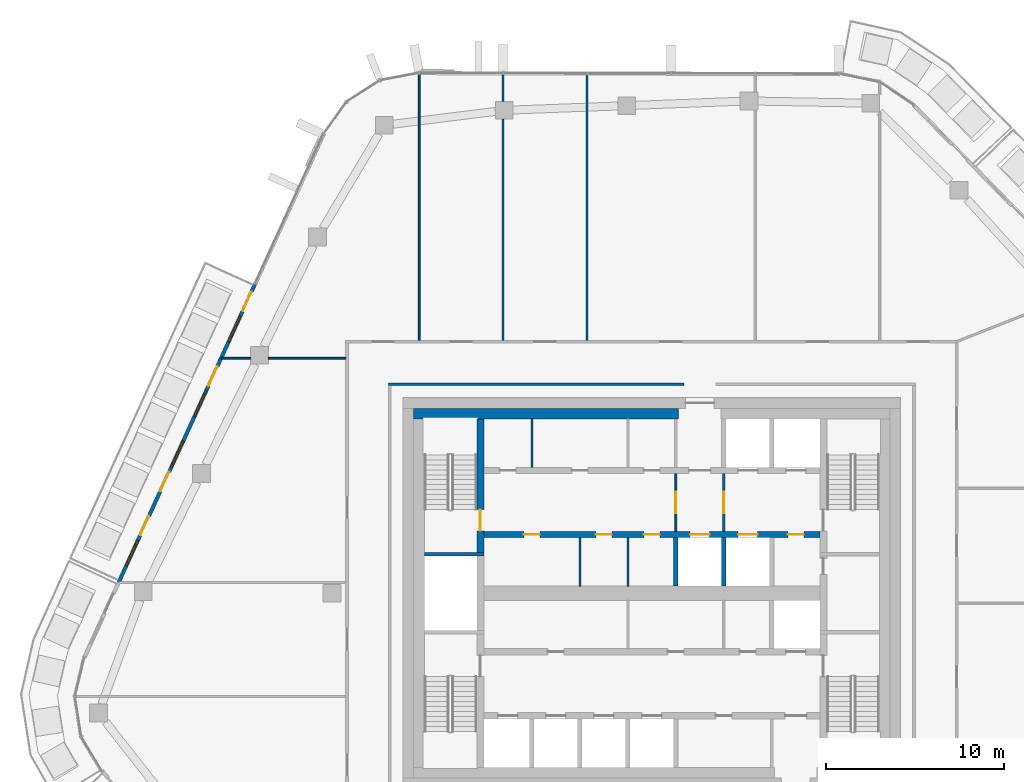
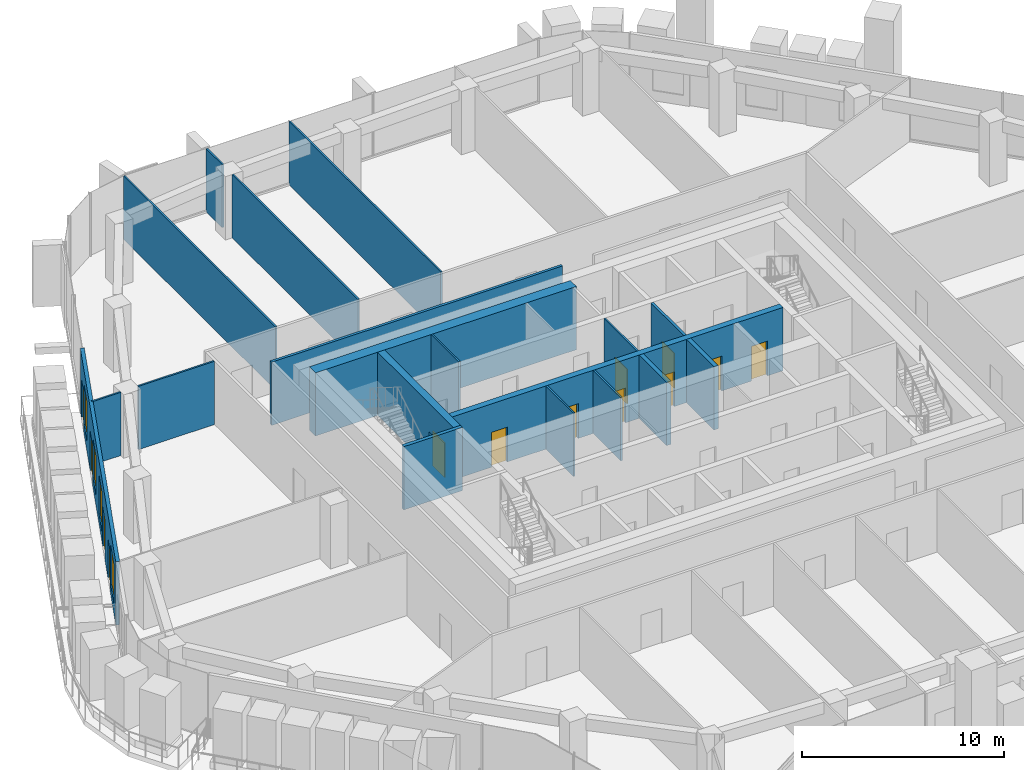
# One storey, part 15 of 23: 19 walls, 13 doors, 4 windows, 17 openings.
"""IFC4 building model written with IfcOpenShell, lengths in metres."""

from ifc_helpers import new_model, si_unit, direction, frame, frame_2d, origin, place, context, subcontext, project, spatial, rectangle, extrude, material, layer, layer_set, type_object, element, fill, save


model = new_model("IFC4")

# Units and contexts
model_context = context("Model", 3, precision=1e-05, world=origin(), true_north=direction((0.0, 1.0)))
body_context = subcontext(model_context, "Body", "Model", "MODEL_VIEW")
ifc_project = project(units=[si_unit("LENGTHUNIT", "METRE"), si_unit("AREAUNIT", "SQUARE_METRE"), si_unit("VOLUMEUNIT", "CUBIC_METRE"), si_unit("PLANEANGLEUNIT", "RADIAN"), si_unit("MASSUNIT", "GRAM", prefix="KILO")], contexts=[model_context])

# Site, building, storey
site_placement = place(None, origin())
site = spatial("IfcSite", under=ifc_project, at=site_placement, CompositionType="ELEMENT")
building_placement = place(site_placement, origin())
building = spatial("IfcBuilding", under=site, at=building_placement, Name="Dongbaek Canopy Tower", CompositionType="ELEMENT")
storey_placement = place(building_placement, frame((0.0, 0.0, 315.199951171875)))
storey = spatial("IfcBuildingStorey", under=building, at=storey_placement, Name="L67", CompositionType="ELEMENT", Elevation=315.199951171875)

# Wall, openings, doors
ifc_material_1 = material(Name="Concrete C60/75", Category="concrete")
ifc_layer_1 = layer(ifc_material_1, 0.35009765625)
ifc_layer_set_1 = layer_set([ifc_layer_1], Name="Core lobby wall 350 Concrete C60/75")
wall_type_1 = type_object("IfcWallType", Name="Core lobby wall 350 Concrete C60/75", PredefinedType="SHEAR", material=ifc_layer_set_1)
wall_1_placement = place(storey_placement, frame((9.449951171875, 3.300048828125, 0.0), z_axis=(0.0, 0.0, 1.0), x_axis=(-1.0, 0.0, 0.0)))
wall_1 = element("IfcWall", 1, at=wall_1_placement, inside=storey, type_object=wall_type_1, Name="Core wall", PredefinedType="SHEAR", context=body_context, shape_type="SweptSolid", body=[
    extrude(rectangle(XDim=18.89990234375, YDim=0.35009765625, at=frame_2d((9.449951171875, 0.0))), origin(), (0.0, 0.0, 1.0), 3.820068359375),
])
opening_1_placement = place(wall_1_placement, frame((6.199951171875, 0.0, 0.0)))
opening_1 = element("IfcOpeningElement", 2, at=opening_1_placement, cuts=wall_1, Name="Opening L67-D024", PredefinedType="OPENING", context=body_context, shape_type="SweptSolid", body=[
    extrude(rectangle(XDim=1.10009765625, YDim=2.10009765625, at=frame_2d((0.550048828125, 1.050048828125))), frame((0.0, 0.18505859375, 0.0), z_axis=(0.0, -1.0, 0.0), x_axis=(1.0, 0.0, 0.0)), (0.0, 0.0, 1.0), 0.3701171875),
])
opening_2_placement = place(wall_1_placement, frame((3.5, 0.0, 0.0)))
opening_2 = element("IfcOpeningElement", 3, at=opening_2_placement, cuts=wall_1, Name="Opening L67-D025", PredefinedType="OPENING", context=body_context, shape_type="SweptSolid", body=[
    extrude(rectangle(XDim=1.10009765625, YDim=2.10009765625, at=frame_2d((0.550048828125, 1.050048828125))), frame((0.0, 0.18505859375, 0.0), z_axis=(0.0, -1.0, 0.0), x_axis=(1.0, 0.0, 0.0)), (0.0, 0.0, 1.0), 0.3701171875),
])
opening_3_placement = place(wall_1_placement, frame((0.89990234375, 0.0, 0.0)))
opening_3 = element("IfcOpeningElement", 4, at=opening_3_placement, cuts=wall_1, Name="Opening L67-D026", PredefinedType="OPENING", context=body_context, shape_type="SweptSolid", body=[
    extrude(rectangle(XDim=0.89990234375, YDim=2.10009765625, at=frame_2d((0.449951171875, 1.050048828125))), frame((0.0, 0.18505859375, 0.0), z_axis=(0.0, -1.0, 0.0), x_axis=(1.0, 0.0, 0.0)), (0.0, 0.0, 1.0), 0.3701171875),
])
opening_4_placement = place(wall_1_placement, frame((15.75, 0.0, 0.0)))
opening_4 = element("IfcOpeningElement", 5, at=opening_4_placement, cuts=wall_1, Name="Opening L67-D037", PredefinedType="OPENING", context=body_context, shape_type="SweptSolid", body=[
    extrude(rectangle(XDim=0.89990234375, YDim=2.10009765625, at=frame_2d((0.449951171875, 1.050048828125))), frame((0.0, 0.18505859375, 0.0), z_axis=(0.0, -1.0, 0.0), x_axis=(1.0, 0.0, 0.0)), (0.0, 0.0, 1.0), 0.3701171875),
])
opening_5_placement = place(wall_1_placement, frame((11.699951171875, 0.0, 0.0)))
opening_5 = element("IfcOpeningElement", 6, at=opening_5_placement, cuts=wall_1, Name="Opening L67-D038", PredefinedType="OPENING", context=body_context, shape_type="SweptSolid", body=[
    extrude(rectangle(XDim=0.89990234375, YDim=2.10009765625, at=frame_2d((0.449951171875, 1.050048828125))), frame((0.0, 0.18505859375, 0.0), z_axis=(0.0, -1.0, 0.0), x_axis=(1.0, 0.0, 0.0)), (0.0, 0.0, 1.0), 0.3701171875),
])
opening_6_placement = place(wall_1_placement, frame((9.0, 0.0, 0.0)))
opening_6 = element("IfcOpeningElement", 7, at=opening_6_placement, cuts=wall_1, Name="Opening L67-D039", PredefinedType="OPENING", context=body_context, shape_type="SweptSolid", body=[
    extrude(rectangle(XDim=0.89990234375, YDim=2.10009765625, at=frame_2d((0.449951171875, 1.050048828125))), frame((0.0, 0.18505859375, 0.0), z_axis=(0.0, -1.0, 0.0), x_axis=(1.0, 0.0, 0.0)), (0.0, 0.0, 1.0), 0.3701171875),
])
ifc_material_2 = material(Name="Steel", Category="steel")
door_type_1 = type_object("IfcDoorType", Name="Core room door 900 x 2100", OperationType="SINGLE_SWING_LEFT", PredefinedType="DOOR", material=ifc_material_2)
door_1_placement = place(opening_3_placement, origin())
door_1 = element("IfcDoor", 8, at=door_1_placement, inside=storey, type_object=door_type_1, Name="Door L67-D026", OperationType="SINGLE_SWING_LEFT", OverallHeight=2.10009765625, OverallWidth=0.89990234375, PredefinedType="DOOR", context=body_context, shape_type="SweptSolid", body=[
    extrude(rectangle(XDim=0.89990234375, YDim=2.10009765625, at=frame_2d((0.449951171875, 1.050048828125))), frame((0.0, 0.02490234375, 0.0), z_axis=(0.0, -1.0, 0.0), x_axis=(1.0, 0.0, 0.0)), (0.0, 0.0, 1.0), 0.050048828125),
])
fill(opening_3, door_1)
door_2_placement = place(opening_4_placement, origin())
door_2 = element("IfcDoor", 9, at=door_2_placement, inside=storey, type_object=door_type_1, Name="Door L67-D037", OperationType="SINGLE_SWING_LEFT", OverallHeight=2.10009765625, OverallWidth=0.89990234375, PredefinedType="DOOR", context=body_context, shape_type="SweptSolid", body=[
    extrude(rectangle(XDim=0.89990234375, YDim=2.10009765625, at=frame_2d((0.449951171875, 1.050048828125))), frame((0.0, 0.02490234375, 0.0), z_axis=(0.0, -1.0, 0.0), x_axis=(1.0, 0.0, 0.0)), (0.0, 0.0, 1.0), 0.050048828125),
])
fill(opening_4, door_2)
door_3_placement = place(opening_5_placement, origin())
door_3 = element("IfcDoor", 10, at=door_3_placement, inside=storey, type_object=door_type_1, Name="Door L67-D038", OperationType="SINGLE_SWING_RIGHT", OverallHeight=2.10009765625, OverallWidth=0.89990234375, PredefinedType="DOOR", context=body_context, shape_type="SweptSolid", body=[
    extrude(rectangle(XDim=0.89990234375, YDim=2.10009765625, at=frame_2d((0.449951171875, 1.050048828125))), frame((0.0, 0.02490234375, 0.0), z_axis=(0.0, -1.0, 0.0), x_axis=(1.0, 0.0, 0.0)), (0.0, 0.0, 1.0), 0.050048828125),
])
fill(opening_5, door_3)
door_4_placement = place(opening_6_placement, origin())
door_4 = element("IfcDoor", 11, at=door_4_placement, inside=storey, type_object=door_type_1, Name="Door L67-D039", OperationType="SINGLE_SWING_LEFT", OverallHeight=2.10009765625, OverallWidth=0.89990234375, PredefinedType="DOOR", context=body_context, shape_type="SweptSolid", body=[
    extrude(rectangle(XDim=0.89990234375, YDim=2.10009765625, at=frame_2d((0.449951171875, 1.050048828125))), frame((0.0, 0.02490234375, 0.0), z_axis=(0.0, -1.0, 0.0), x_axis=(1.0, 0.0, 0.0)), (0.0, 0.0, 1.0), 0.050048828125),
])
fill(opening_6, door_4)
ifc_material_3 = material(Name="Stainless steel", Category="steel")
door_type_2 = type_object("IfcDoorType", Name="Lift landing door 1100 x 2100", OperationType="DOUBLE_DOOR_SLIDING", PredefinedType="DOOR", material=ifc_material_3)
door_5_placement = place(opening_1_placement, origin())
door_5 = element("IfcDoor", 12, at=door_5_placement, inside=storey, type_object=door_type_2, Name="Landing door SV1", OperationType="DOUBLE_DOOR_SLIDING", OverallHeight=2.10009765625, OverallWidth=1.10009765625, PredefinedType="DOOR", context=body_context, shape_type="SweptSolid", body=[
    extrude(rectangle(XDim=1.10009765625, YDim=2.10009765625, at=frame_2d((0.550048828125, 1.050048828125))), frame((0.0, 0.02490234375, 0.0), z_axis=(0.0, -1.0, 0.0), x_axis=(1.0, 0.0, 0.0)), (0.0, 0.0, 1.0), 0.050048828125),
])
fill(opening_1, door_5)
door_6_placement = place(opening_2_placement, origin())
door_6 = element("IfcDoor", 13, at=door_6_placement, inside=storey, type_object=door_type_2, Name="Landing door FF3", OperationType="DOUBLE_DOOR_SLIDING", OverallHeight=2.10009765625, OverallWidth=1.10009765625, PredefinedType="DOOR", context=body_context, shape_type="SweptSolid", body=[
    extrude(rectangle(XDim=1.10009765625, YDim=2.10009765625, at=frame_2d((0.550048828125, 1.050048828125))), frame((0.0, 0.02490234375, 0.0), z_axis=(0.0, -1.0, 0.0), x_axis=(1.0, 0.0, 0.0)), (0.0, 0.0, 1.0), 0.050048828125),
])
fill(opening_2, door_6)

# Walls
ifc_material_4 = material(Name="Concrete C60/75", Category="concrete")
ifc_layer_2 = layer(ifc_material_4, 0.60009765625)
ifc_layer_set_2 = layer_set([ifc_layer_2], Name="Core wall lining 600 Concrete C60/75")
wall_type_2 = type_object("IfcWallType", Name="Core wall lining 600 Concrete C60/75", PredefinedType="SHEAR", material=ifc_layer_set_2)
wall_2_placement = place(storey_placement, frame((-13.39990234375, 10.10009765625, 0.0), z_axis=(0.0, 0.0, 1.0), x_axis=(1.0, 0.0, 0.0)))
element("IfcWall", 14, at=wall_2_placement, inside=storey, type_object=wall_type_2, Name="Core wall lining", PredefinedType="SHEAR", context=body_context, shape_type="SweptSolid", body=[
    extrude(rectangle(XDim=14.89990234375, YDim=0.60009765625, at=frame_2d((7.449951171875, 0.0))), origin(), (0.0, 0.0, 1.0), 3.820068359375),
])
ifc_material_5 = material(Name="Gypsum board partition, steel stud, 2 x 15 mm fire board", Category="steel")
ifc_layer_3 = layer(ifc_material_5, 0.14990234375)
ifc_layer_set_3 = layer_set([ifc_layer_3], Name="Fire-rated partition 150 gypsum board")
wall_type_3 = type_object("IfcWallType", Name="Fire-rated partition 150 gypsum board", PredefinedType="PARTITIONING", material=ifc_layer_set_3)
wall_3_placement = place(storey_placement, frame((-14.824951171875, 11.75, 0.0), z_axis=(0.0, 0.0, 1.0), x_axis=(1.0, 0.0, 0.0)))
element("IfcWall", 15, at=wall_3_placement, inside=storey, type_object=wall_type_3, Name="Corridor partition", PredefinedType="PARTITIONING", context=body_context, shape_type="SweptSolid", body=[
    extrude(rectangle(XDim=16.625, YDim=0.14990234375, at=frame_2d((8.3125, 0.0))), origin(), (0.0, 0.0, 1.0), 3.820068359375),
])

# Wall, opening, door
wall_4_placement = place(storey_placement, frame((4.050048828125, 6.72509765625, 0.0), z_axis=(0.0, 0.0, 1.0), x_axis=(0.0, -1.0, 0.0)))
wall_4 = element("IfcWall", 16, at=wall_4_placement, inside=storey, type_object=wall_type_3, Name="Fire lobby partition", PredefinedType="PARTITIONING", context=body_context, shape_type="SweptSolid", body=[
    extrude(rectangle(XDim=3.25, YDim=0.14990234375, at=frame_2d((1.625, 0.0))), origin(), (0.0, 0.0, 1.0), 3.820068359375),
])
opening_7_placement = place(wall_4_placement, frame((1.02490234375, 0.0, 0.0)))
opening_7 = element("IfcOpeningElement", 17, at=opening_7_placement, cuts=wall_4, Name="Opening L67-D049", PredefinedType="OPENING", context=body_context, shape_type="SweptSolid", body=[
    extrude(rectangle(XDim=1.199951171875, YDim=2.10009765625, at=frame_2d((0.60009765625, 1.050048828125))), frame((0.0, 0.0849609375, 0.0), z_axis=(0.0, -1.0, 0.0), x_axis=(1.0, 0.0, 0.0)), (0.0, 0.0, 1.0), 0.169921875),
])
ifc_material_6 = material(Name="Steel", Category="steel")
door_type_3 = type_object("IfcDoorType", Name="Fire lobby door 1200 x 2100", OperationType="SINGLE_SWING_LEFT", PredefinedType="DOOR", material=ifc_material_6)
door_7_placement = place(opening_7_placement, origin())
door_7 = element("IfcDoor", 18, at=door_7_placement, inside=storey, type_object=door_type_3, Name="Door L67-D049", OperationType="SINGLE_SWING_RIGHT", OverallHeight=2.10009765625, OverallWidth=1.199951171875, PredefinedType="DOOR", context=body_context, shape_type="SweptSolid", body=[
    extrude(rectangle(XDim=1.199951171875, YDim=2.10009765625, at=frame_2d((0.60009765625, 1.050048828125))), frame((0.0, 0.02490234375, 0.0), z_axis=(0.0, -1.0, 0.0), x_axis=(1.0, 0.0, 0.0)), (0.0, 0.0, 1.0), 0.050048828125),
])
fill(opening_7, door_7)

# Walls
ifc_material_7 = material(Name="Concrete C40/50", Category="concrete")
ifc_layer_4 = layer(ifc_material_7, 0.25)
ifc_layer_set_4 = layer_set([ifc_layer_4], Name="Lift shaft wall 250 Concrete C40/50")
wall_type_4 = type_object("IfcWallType", Name="Lift shaft wall 250 Concrete C40/50", PredefinedType="SOLIDWALL", material=ifc_layer_set_4)
for number, where, z_axis, x_axis, name in (
    (19, (4.050048828125, 0.39990234375, 0.0), (0.0, 0.0, 1.0), (0.0, 1.0, 0.0), "Lift shaft wall"),
    (20, (1.35009765625, 0.39990234375, 0.0), (0.0, 0.0, 1.0), (0.0, 1.0, 0.0), "Lift shaft wall"),
):
    element("IfcWall", number, at=place(storey_placement, frame(where, z_axis=z_axis, x_axis=x_axis)), inside=storey, type_object=wall_type_4, Name=name, PredefinedType="SOLIDWALL", context=body_context, shape_type="SweptSolid", body=[
        extrude(rectangle(XDim=2.72509765625, YDim=0.25, at=frame_2d((1.362548828125, 0.0))), origin(), (0.0, 0.0, 1.0), 3.820068359375),
    ])
ifc_material_8 = material(Name="Gypsum board partition, steel stud, 2 x 12.5 mm board", Category="steel")
ifc_layer_5 = layer(ifc_material_8, 0.10009765625)
ifc_layer_set_5 = layer_set([ifc_layer_5], Name="Partition 100 gypsum board")
wall_type_5 = type_object("IfcWallType", Name="Partition 100 gypsum board", PredefinedType="PARTITIONING", material=ifc_layer_set_5)
wall_5_placement = place(storey_placement, frame((-24.2177734375, 13.2109375, 0.0), z_axis=(0.0, 0.0, 1.0), x_axis=(1.0, 0.0, 0.0)))
element("IfcWall", 21, at=wall_5_placement, inside=storey, type_object=wall_type_5, Name="Partition", PredefinedType="PARTITIONING", context=body_context, shape_type="SweptSolid", body=[
    extrude(rectangle(XDim=1.641845703125, YDim=0.10009765625, at=frame_2d((0.82080078125, 0.0))), origin(), (0.0, 0.0, 1.0), 3.820068359375),
])
wall_6_placement = place(storey_placement, frame((-21.575927734375, 13.2109375, 0.0), z_axis=(0.0, 0.0, 1.0), x_axis=(1.0, 0.0, 0.0)))
element("IfcWall", 22, at=wall_6_placement, inside=storey, type_object=wall_type_5, Name="Partition", PredefinedType="PARTITIONING", context=body_context, shape_type="SweptSolid", body=[
    extrude(rectangle(XDim=4.350830078125, YDim=0.10009765625, at=frame_2d((2.17529296875, 0.0))), origin(), (0.0, 0.0, 1.0), 3.820068359375),
])
wall_7_placement = place(storey_placement, frame((-3.64501953125, 14.22509765625, 0.0), z_axis=(0.0, 0.0, 1.0), x_axis=(0.0, 1.0, 0.0)))
element("IfcWall", 23, at=wall_7_placement, inside=storey, type_object=wall_type_5, Name="Partition", PredefinedType="PARTITIONING", context=body_context, shape_type="SweptSolid", body=[
    extrude(rectangle(XDim=15.00244140625, YDim=0.10009765625, at=frame_2d((7.501220703125, 0.0))), origin(), (0.0, 0.0, 1.0), 3.820068359375),
])
wall_8_placement = place(storey_placement, frame((-8.37109375, 14.22509765625, 0.0), z_axis=(0.0, 0.0, 1.0), x_axis=(0.0, 1.0, 0.0)))
element("IfcWall", 24, at=wall_8_placement, inside=storey, type_object=wall_type_5, Name="Partition", PredefinedType="PARTITIONING", context=body_context, shape_type="SweptSolid", body=[
    extrude(rectangle(XDim=12.43896484375, YDim=0.10009765625, at=frame_2d((6.219482421875, 0.0))), origin(), (0.0, 0.0, 1.0), 3.820068359375),
])
wall_9_placement = place(storey_placement, frame((-8.37109375, 27.6640625, 0.0), z_axis=(0.0, 0.0, 1.0), x_axis=(0.0, 1.0, 0.0)))
element("IfcWall", 25, at=wall_9_placement, inside=storey, type_object=wall_type_5, Name="Partition", PredefinedType="PARTITIONING", context=body_context, shape_type="SweptSolid", body=[
    extrude(rectangle(XDim=1.57373046875, YDim=0.10009765625, at=frame_2d((0.786865234375, 0.0))), origin(), (0.0, 0.0, 1.0), 3.820068359375),
])
wall_10_placement = place(storey_placement, frame((-13.0869140625, 14.22509765625, 0.0), z_axis=(0.0, 0.0, 1.0), x_axis=(0.0, 1.0, 0.0)))
element("IfcWall", 26, at=wall_10_placement, inside=storey, type_object=wall_type_5, Name="Partition", PredefinedType="PARTITIONING", context=body_context, shape_type="SweptSolid", body=[
    extrude(rectangle(XDim=15.022705078125, YDim=0.10009765625, at=frame_2d((7.51123046875, 0.0))), origin(), (0.0, 0.0, 1.0), 3.820068359375),
])

# Wall, opening, door
wall_11_placement = place(storey_placement, frame((1.35009765625, 6.72509765625, 0.0), z_axis=(0.0, 0.0, 1.0), x_axis=(0.0, -1.0, 0.0)))
wall_11 = element("IfcWall", 27, at=wall_11_placement, inside=storey, type_object=wall_type_5, Name="Core partition", PredefinedType="PARTITIONING", context=body_context, shape_type="SweptSolid", body=[
    extrude(rectangle(XDim=3.25, YDim=0.10009765625, at=frame_2d((1.625, 0.0))), origin(), (0.0, 0.0, 1.0), 3.820068359375),
])
opening_8_placement = place(wall_11_placement, frame((1.02490234375, 0.0, 0.0)))
opening_8 = element("IfcOpeningElement", 28, at=opening_8_placement, cuts=wall_11, Name="Opening L67-D048", PredefinedType="OPENING", context=body_context, shape_type="SweptSolid", body=[
    extrude(rectangle(XDim=1.199951171875, YDim=2.10009765625, at=frame_2d((0.60009765625, 1.050048828125))), frame((0.0, 0.06005859375, 0.0), z_axis=(0.0, -1.0, 0.0), x_axis=(1.0, 0.0, 0.0)), (0.0, 0.0, 1.0), 0.1201171875),
])
door_8_placement = place(opening_8_placement, origin())
door_8 = element("IfcDoor", 29, at=door_8_placement, inside=storey, type_object=door_type_3, Name="Door L67-D048", OperationType="SINGLE_SWING_LEFT", OverallHeight=2.10009765625, OverallWidth=1.199951171875, PredefinedType="DOOR", context=body_context, shape_type="SweptSolid", body=[
    extrude(rectangle(XDim=1.199951171875, YDim=2.10009765625, at=frame_2d((0.60009765625, 1.050048828125))), frame((0.0, 0.02490234375, 0.0), z_axis=(0.0, -1.0, 0.0), x_axis=(1.0, 0.0, 0.0)), (0.0, 0.0, 1.0), 0.050048828125),
])
fill(opening_8, door_8)

# Walls
for number, where, z_axis, x_axis, name in (
    (30, (-1.35009765625, 0.39990234375, 0.0), (0.0, 0.0, 1.0), (0.0, 1.0, 0.0), "Core partition"),
    (31, (-4.050048828125, 0.39990234375, 0.0), (0.0, 0.0, 1.0), (0.0, 1.0, 0.0), "Core partition"),
    (32, (-6.75, 7.074951171875, 0.0), (0.0, 0.0, 1.0), (0.0, 1.0, 0.0), "Core partition"),
):
    element("IfcWall", number, at=place(storey_placement, frame(where, z_axis=z_axis, x_axis=x_axis)), inside=storey, type_object=wall_type_5, Name=name, PredefinedType="PARTITIONING", context=body_context, shape_type="SweptSolid", body=[
        extrude(rectangle(XDim=2.72509765625, YDim=0.10009765625, at=frame_2d((1.362548828125, 0.0))), origin(), (0.0, 0.0, 1.0), 3.820068359375),
    ])
ifc_material_9 = material(Name="Concrete C60/75", Category="concrete")
ifc_layer_6 = layer(ifc_material_9, 0.199951171875)
ifc_layer_set_6 = layer_set([ifc_layer_6], Name="Riser wall 200 Concrete C60/75")
wall_type_6 = type_object("IfcWallType", Name="Riser wall 200 Concrete C60/75", PredefinedType="SHEAR", material=ifc_layer_set_6)
wall_12_placement = place(storey_placement, frame((-9.449951171875, 2.199951171875, 0.0), z_axis=(0.0, 0.0, 1.0), x_axis=(-1.0, 0.0, 0.0)))
element("IfcWall", 33, at=wall_12_placement, inside=storey, type_object=wall_type_6, Name="Riser wall", PredefinedType="SHEAR", context=body_context, shape_type="SweptSolid", body=[
    extrude(rectangle(XDim=3.35009765625, YDim=0.199951171875, at=frame_2d((1.675048828125, 0.0))), origin(), (0.0, 0.0, 1.0), 3.820068359375),
])

# Wall, opening, door
ifc_material_10 = material(Name="Concrete C60/75", Category="concrete")
ifc_layer_7 = layer(ifc_material_10, 0.39990234375)
ifc_layer_set_7 = layer_set([ifc_layer_7], Name="Stair wall 400 Concrete C60/75")
wall_type_7 = type_object("IfcWallType", Name="Stair wall 400 Concrete C60/75", PredefinedType="SHEAR", material=ifc_layer_set_7)
wall_13_placement = place(storey_placement, frame((-9.64990234375, 2.300048828125, 0.0), z_axis=(0.0, 0.0, 1.0), x_axis=(0.0, 1.0, 0.0)))
wall_13 = element("IfcWall", 34, at=wall_13_placement, inside=storey, type_object=wall_type_7, Name="Stair wall", PredefinedType="SHEAR", context=body_context, shape_type="SweptSolid", body=[
    extrude(rectangle(XDim=7.5, YDim=0.39990234375, at=frame_2d((3.75, 0.0))), origin(), (0.0, 0.0, 1.0), 3.820068359375),
])
opening_9_placement = place(wall_13_placement, frame((1.199951171875, 0.0, 0.0)))
opening_9 = element("IfcOpeningElement", 35, at=opening_9_placement, cuts=wall_13, Name="Opening L67-D045", PredefinedType="OPENING", context=body_context, shape_type="SweptSolid", body=[
    extrude(rectangle(XDim=1.199951171875, YDim=2.10009765625, at=frame_2d((0.60009765625, 1.050048828125))), frame((0.0, 0.2099609375, 0.0), z_axis=(0.0, -1.0, 0.0), x_axis=(1.0, 0.0, 0.0)), (0.0, 0.0, 1.0), 0.419921875),
])
ifc_material_11 = material(Name="Steel", Category="steel")
door_type_4 = type_object("IfcDoorType", Name="Stair door 1200 x 2100", OperationType="SINGLE_SWING_LEFT", PredefinedType="DOOR", material=ifc_material_11)
door_9_placement = place(opening_9_placement, origin())
door_9 = element("IfcDoor", 36, at=door_9_placement, inside=storey, type_object=door_type_4, Name="Stair C door", OperationType="SINGLE_SWING_RIGHT", OverallHeight=2.10009765625, OverallWidth=1.199951171875, PredefinedType="DOOR", context=body_context, shape_type="SweptSolid", body=[
    extrude(rectangle(XDim=1.199951171875, YDim=2.10009765625, at=frame_2d((0.60009765625, 1.050048828125))), frame((0.0, 0.02490234375, 0.0), z_axis=(0.0, -1.0, 0.0), x_axis=(1.0, 0.0, 0.0)), (0.0, 0.0, 1.0), 0.050048828125),
])
fill(opening_9, door_9)

# Wall, openings, doors, windows
ifc_material_12 = material(Name="Aluminium window wall", Category="aluminium")
ifc_layer_8 = layer(ifc_material_12, 0.199951171875)
ifc_layer_set_8 = layer_set([ifc_layer_8], Name="Window wall 200")
wall_type_8 = type_object("IfcWallType", Name="Window wall 200", PredefinedType="SOLIDWALL", material=ifc_layer_set_8)
wall_14_placement = place(storey_placement, frame((-22.318359375, 17.4140625, 0.0), z_axis=(0.0, 0.0, 1.0), x_axis=(-0.415710447513, -0.909497016943, 0.0)))
wall_14 = element("IfcWall", 37, at=wall_14_placement, inside=storey, type_object=wall_type_8, Name="Window wall L67 2", PredefinedType="SOLIDWALL", context=body_context, shape_type="SweptSolid", body=[
    extrude(rectangle(XDim=18.486572265625, YDim=0.199951171875, at=frame_2d((9.2431640625, 0.0))), origin(), (0.0, 0.0, 1.0), 3.820068359375),
])
opening_10_placement = place(wall_14_placement, frame((2.0, 0.0, 0.60009765625)))
opening_10 = element("IfcOpeningElement", 38, at=opening_10_placement, cuts=wall_14, Name="Opening W1", PredefinedType="OPENING", context=body_context, shape_type="SweptSolid", body=[
    extrude(rectangle(XDim=1.60009765625, YDim=2.39990234375, at=frame_2d((0.800048828125, 1.199951171875))), frame((0.0, 0.10986328125, 0.0), z_axis=(0.0, -1.0, 0.0), x_axis=(1.0, 0.0, 0.0)), (0.0, 0.0, 1.0), 0.219970703125),
])
opening_11_placement = place(wall_14_placement, frame((0.5, 0.0, 0.0)))
opening_11 = element("IfcOpeningElement", 39, at=opening_11_placement, cuts=wall_14, Name="Opening L67-B04", PredefinedType="OPENING", context=body_context, shape_type="SweptSolid", body=[
    extrude(rectangle(XDim=1.199951171875, YDim=2.39990234375, at=frame_2d((0.60009765625, 1.199951171875))), frame((0.0, 0.10986328125, 0.0), z_axis=(0.0, -1.0, 0.0), x_axis=(1.0, 0.0, 0.0)), (0.0, 0.0, 1.0), 0.219970703125),
])
opening_12_placement = place(wall_14_placement, frame((6.62158203125, 0.0, 0.60009765625)))
opening_12 = element("IfcOpeningElement", 40, at=opening_12_placement, cuts=wall_14, Name="Opening W1", PredefinedType="OPENING", context=body_context, shape_type="SweptSolid", body=[
    extrude(rectangle(XDim=1.60009765625, YDim=2.39990234375, at=frame_2d((0.800048828125, 1.199951171875))), frame((0.0, 0.10986328125, 0.0), z_axis=(0.0, -1.0, 0.0), x_axis=(1.0, 0.0, 0.0)), (0.0, 0.0, 1.0), 0.219970703125),
])
opening_13_placement = place(wall_14_placement, frame((5.12158203125, 0.0, 0.0)))
opening_13 = element("IfcOpeningElement", 41, at=opening_13_placement, cuts=wall_14, Name="Opening L67-B05", PredefinedType="OPENING", context=body_context, shape_type="SweptSolid", body=[
    extrude(rectangle(XDim=1.199951171875, YDim=2.39990234375, at=frame_2d((0.60009765625, 1.199951171875))), frame((0.0, 0.10986328125, 0.0), z_axis=(0.0, -1.0, 0.0), x_axis=(1.0, 0.0, 0.0)), (0.0, 0.0, 1.0), 0.219970703125),
])
opening_14_placement = place(wall_14_placement, frame((9.7431640625, 0.0, 0.60009765625)))
opening_14 = element("IfcOpeningElement", 42, at=opening_14_placement, cuts=wall_14, Name="Opening W1", PredefinedType="OPENING", context=body_context, shape_type="SweptSolid", body=[
    extrude(rectangle(XDim=1.60009765625, YDim=2.39990234375, at=frame_2d((0.800048828125, 1.199951171875))), frame((0.0, 0.10986328125, 0.0), z_axis=(0.0, -1.0, 0.0), x_axis=(1.0, 0.0, 0.0)), (0.0, 0.0, 1.0), 0.219970703125),
])
opening_15_placement = place(wall_14_placement, frame((11.643310546875, 0.0, 0.0)))
opening_15 = element("IfcOpeningElement", 43, at=opening_15_placement, cuts=wall_14, Name="Opening L67-B06", PredefinedType="OPENING", context=body_context, shape_type="SweptSolid", body=[
    extrude(rectangle(XDim=1.199951171875, YDim=2.39990234375, at=frame_2d((0.60009765625, 1.199951171875))), frame((0.0, 0.10986328125, 0.0), z_axis=(0.0, -1.0, 0.0), x_axis=(1.0, 0.0, 0.0)), (0.0, 0.0, 1.0), 0.219970703125),
])
opening_16_placement = place(wall_14_placement, frame((15.864990234375, 0.0, 0.60009765625)))
opening_16 = element("IfcOpeningElement", 44, at=opening_16_placement, cuts=wall_14, Name="Opening W1", PredefinedType="OPENING", context=body_context, shape_type="SweptSolid", body=[
    extrude(rectangle(XDim=1.60009765625, YDim=2.39990234375, at=frame_2d((0.800048828125, 1.199951171875))), frame((0.0, 0.10986328125, 0.0), z_axis=(0.0, -1.0, 0.0), x_axis=(1.0, 0.0, 0.0)), (0.0, 0.0, 1.0), 0.219970703125),
])
opening_17_placement = place(wall_14_placement, frame((14.364990234375, 0.0, 0.0)))
opening_17 = element("IfcOpeningElement", 45, at=opening_17_placement, cuts=wall_14, Name="Opening L67-B07", PredefinedType="OPENING", context=body_context, shape_type="SweptSolid", body=[
    extrude(rectangle(XDim=1.199951171875, YDim=2.39990234375, at=frame_2d((0.60009765625, 1.199951171875))), frame((0.0, 0.10986328125, 0.0), z_axis=(0.0, -1.0, 0.0), x_axis=(1.0, 0.0, 0.0)), (0.0, 0.0, 1.0), 0.219970703125),
])
ifc_material_13 = material(Name="Clear glazing in aluminium frame", Category="aluminium")
door_type_5 = type_object("IfcDoorType", Name="Balcony door BD1 1200 x 2400", OperationType="SLIDING_TO_LEFT", PredefinedType="DOOR", material=ifc_material_13)
door_10_placement = place(opening_11_placement, origin())
door_10 = element("IfcDoor", 46, at=door_10_placement, inside=storey, type_object=door_type_5, Name="Balcony door L67-B04", OperationType="SLIDING_TO_LEFT", OverallHeight=2.39990234375, OverallWidth=1.199951171875, PredefinedType="DOOR", context=body_context, shape_type="SweptSolid", body=[
    extrude(rectangle(XDim=1.199951171875, YDim=2.39990234375, at=frame_2d((0.60009765625, 1.199951171875))), frame((0.0, 0.02490234375, 0.0), z_axis=(0.0, -1.0, 0.0), x_axis=(1.0, 0.0, 0.0)), (0.0, 0.0, 1.0), 0.050048828125),
])
fill(opening_11, door_10)
door_11_placement = place(opening_13_placement, origin())
door_11 = element("IfcDoor", 47, at=door_11_placement, inside=storey, type_object=door_type_5, Name="Balcony door L67-B05", OperationType="SLIDING_TO_LEFT", OverallHeight=2.39990234375, OverallWidth=1.199951171875, PredefinedType="DOOR", context=body_context, shape_type="SweptSolid", body=[
    extrude(rectangle(XDim=1.199951171875, YDim=2.39990234375, at=frame_2d((0.60009765625, 1.199951171875))), frame((0.0, 0.02490234375, 0.0), z_axis=(0.0, -1.0, 0.0), x_axis=(1.0, 0.0, 0.0)), (0.0, 0.0, 1.0), 0.050048828125),
])
fill(opening_13, door_11)
door_12_placement = place(opening_15_placement, origin())
door_12 = element("IfcDoor", 48, at=door_12_placement, inside=storey, type_object=door_type_5, Name="Balcony door L67-B06", OperationType="SLIDING_TO_LEFT", OverallHeight=2.39990234375, OverallWidth=1.199951171875, PredefinedType="DOOR", context=body_context, shape_type="SweptSolid", body=[
    extrude(rectangle(XDim=1.199951171875, YDim=2.39990234375, at=frame_2d((0.60009765625, 1.199951171875))), frame((0.0, 0.02490234375, 0.0), z_axis=(0.0, -1.0, 0.0), x_axis=(1.0, 0.0, 0.0)), (0.0, 0.0, 1.0), 0.050048828125),
])
fill(opening_15, door_12)
door_13_placement = place(opening_17_placement, origin())
door_13 = element("IfcDoor", 49, at=door_13_placement, inside=storey, type_object=door_type_5, Name="Balcony door L67-B07", OperationType="SLIDING_TO_LEFT", OverallHeight=2.39990234375, OverallWidth=1.199951171875, PredefinedType="DOOR", context=body_context, shape_type="SweptSolid", body=[
    extrude(rectangle(XDim=1.199951171875, YDim=2.39990234375, at=frame_2d((0.60009765625, 1.199951171875))), frame((0.0, 0.02490234375, 0.0), z_axis=(0.0, -1.0, 0.0), x_axis=(1.0, 0.0, 0.0)), (0.0, 0.0, 1.0), 0.050048828125),
])
fill(opening_17, door_13)
ifc_material_14 = material(Name="Clear glazing in aluminium frame", Category="aluminium")
window_type = type_object("IfcWindowType", Name="Window W1 1600 x 2400", PartitioningType="SINGLE_PANEL", PredefinedType="WINDOW", material=ifc_material_14)
window_1_placement = place(opening_10_placement, origin())
window_1 = element("IfcWindow", 50, at=window_1_placement, inside=storey, type_object=window_type, Name="Window L67 2.1", OverallHeight=2.39990234375, OverallWidth=1.60009765625, PartitioningType="SINGLE_PANEL", PredefinedType="WINDOW", context=body_context, shape_type="SweptSolid", body=[
    extrude(rectangle(XDim=1.60009765625, YDim=2.39990234375, at=frame_2d((0.800048828125, 1.199951171875))), frame((0.0, 0.030029296875, 0.0), z_axis=(0.0, -1.0, 0.0), x_axis=(1.0, 0.0, 0.0)), (0.0, 0.0, 1.0), 0.06005859375),
])
fill(opening_10, window_1)
window_2_placement = place(opening_12_placement, origin())
window_2 = element("IfcWindow", 51, at=window_2_placement, inside=storey, type_object=window_type, Name="Window L67 2.2", OverallHeight=2.39990234375, OverallWidth=1.60009765625, PartitioningType="SINGLE_PANEL", PredefinedType="WINDOW", context=body_context, shape_type="SweptSolid", body=[
    extrude(rectangle(XDim=1.60009765625, YDim=2.39990234375, at=frame_2d((0.800048828125, 1.199951171875))), frame((0.0, 0.030029296875, 0.0), z_axis=(0.0, -1.0, 0.0), x_axis=(1.0, 0.0, 0.0)), (0.0, 0.0, 1.0), 0.06005859375),
])
fill(opening_12, window_2)
window_3_placement = place(opening_14_placement, origin())
window_3 = element("IfcWindow", 52, at=window_3_placement, inside=storey, type_object=window_type, Name="Window L67 2.3", OverallHeight=2.39990234375, OverallWidth=1.60009765625, PartitioningType="SINGLE_PANEL", PredefinedType="WINDOW", context=body_context, shape_type="SweptSolid", body=[
    extrude(rectangle(XDim=1.60009765625, YDim=2.39990234375, at=frame_2d((0.800048828125, 1.199951171875))), frame((0.0, 0.030029296875, 0.0), z_axis=(0.0, -1.0, 0.0), x_axis=(1.0, 0.0, 0.0)), (0.0, 0.0, 1.0), 0.06005859375),
])
fill(opening_14, window_3)
window_4_placement = place(opening_16_placement, origin())
window_4 = element("IfcWindow", 53, at=window_4_placement, inside=storey, type_object=window_type, Name="Window L67 2.4", OverallHeight=2.39990234375, OverallWidth=1.60009765625, PartitioningType="SINGLE_PANEL", PredefinedType="WINDOW", context=body_context, shape_type="SweptSolid", body=[
    extrude(rectangle(XDim=1.60009765625, YDim=2.39990234375, at=frame_2d((0.800048828125, 1.199951171875))), frame((0.0, 0.030029296875, 0.0), z_axis=(0.0, -1.0, 0.0), x_axis=(1.0, 0.0, 0.0)), (0.0, 0.0, 1.0), 0.06005859375),
])
fill(opening_16, window_4)

save(model, "model.ifc")
